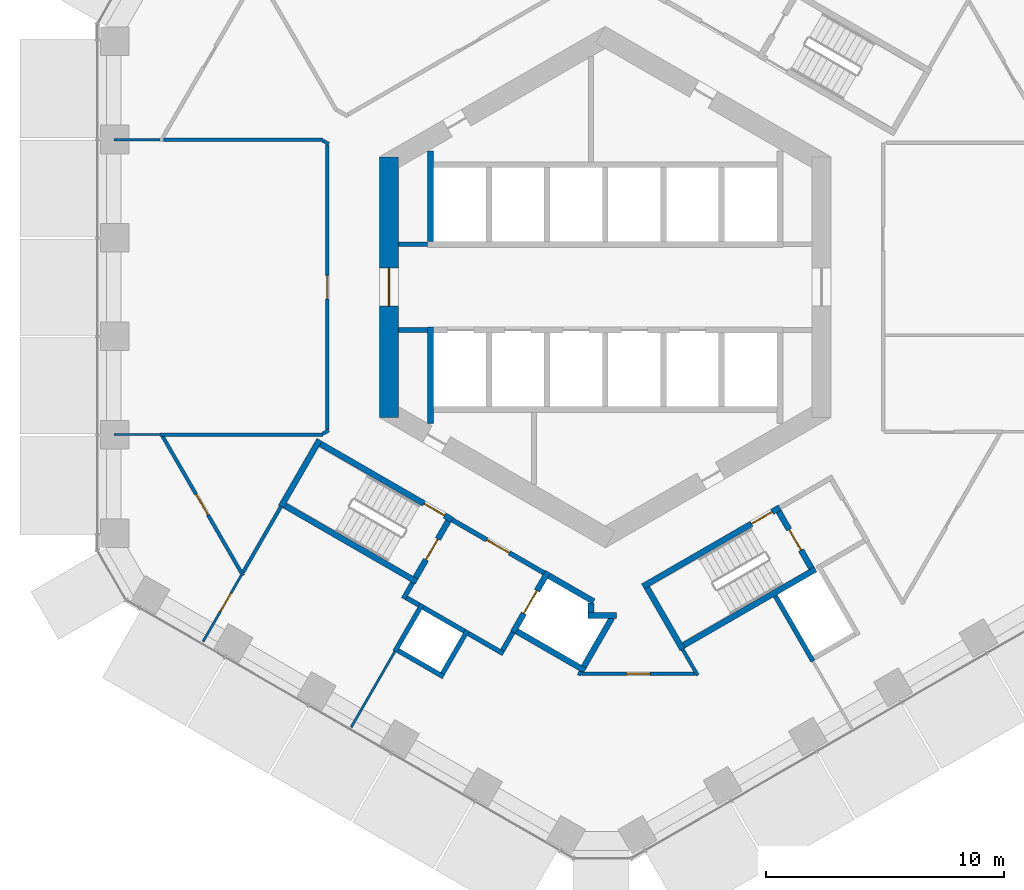
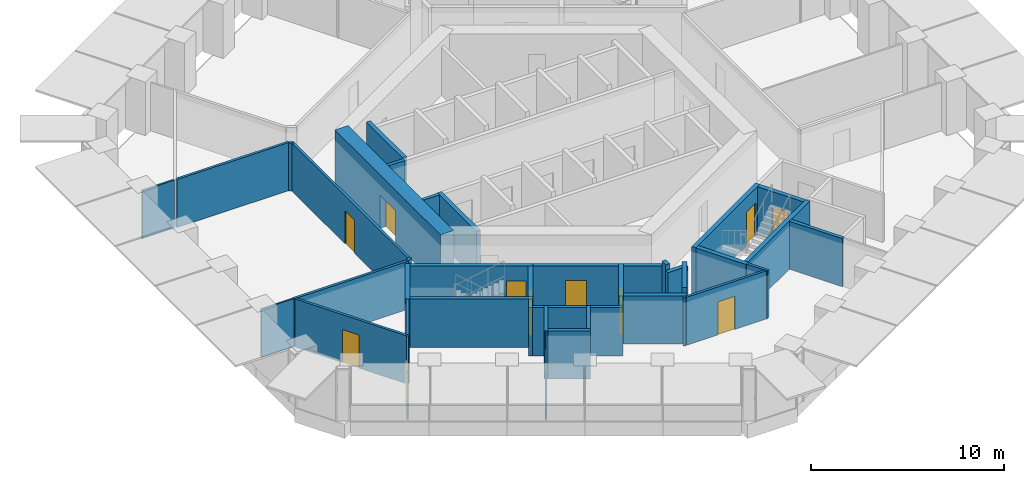
# One storey, part 12 of 19: 43 walls, 11 doors, 11 openings.
"""IFC4 building model written with IfcOpenShell, lengths in metres."""

from ifc_helpers import new_model, si_unit, direction, frame, frame_2d, origin, place, context, subcontext, project, spatial, rectangle, extrude, material, layer, layer_set, type_object, element, fill, save


model = new_model("IFC4")

# Units and contexts
model_context = context("Model", 3, precision=1e-05, world=origin(), true_north=direction((0.0, 1.0)))
body_context = subcontext(model_context, "Body", "Model", "MODEL_VIEW")
ifc_project = project(units=[si_unit("LENGTHUNIT", "METRE"), si_unit("AREAUNIT", "SQUARE_METRE"), si_unit("VOLUMEUNIT", "CUBIC_METRE"), si_unit("PLANEANGLEUNIT", "RADIAN"), si_unit("MASSUNIT", "GRAM", prefix="KILO")], contexts=[model_context])

# Site, building, storey
site_placement = place(None, origin())
site = spatial("IfcSite", under=ifc_project, at=site_placement, CompositionType="ELEMENT")
building_placement = place(site_placement, origin())
building = spatial("IfcBuilding", under=site, at=building_placement, Name="Ayvan Gate Tower", CompositionType="ELEMENT")
storey_placement = place(building_placement, frame((0.0, 0.0, 32.300048828125)))
storey = spatial("IfcBuildingStorey", under=building, at=storey_placement, Name="L07", CompositionType="ELEMENT", Elevation=32.300048828125)

# Wall, opening, door
ifc_material_1 = material(Name="Concrete C70/85", Category="concrete")
ifc_layer_1 = layer(ifc_material_1, 0.800048828125)
ifc_layer_set_1 = layer_set([ifc_layer_1], Name="Concrete C70/85")
wall_type_1 = type_object("IfcWallType", Name="Core wall 800 C70/85", PredefinedType="SHEAR", material=ifc_layer_set_1)
wall_1_placement = place(storey_placement, frame((-9.10009765625, 5.48486328125, 0.0), z_axis=(0.0, 0.0, 1.0), x_axis=(0.0, -1.0, 0.0)))
wall_1 = element("IfcWall", 1, at=wall_1_placement, inside=storey, type_object=wall_type_1, Name="CORE-L07-3", PredefinedType="SHEAR", context=body_context, shape_type="SweptSolid", body=[
    extrude(rectangle(XDim=10.9697265625, YDim=0.800048828125, at=frame_2d((5.48486328125, 0.0))), origin(), (0.0, 0.0, 1.0), 3.39990234375),
])
opening_1_placement = place(wall_1_placement, frame((4.684814453125, 0.0, 0.0)))
opening_1 = element("IfcOpeningElement", 2, at=opening_1_placement, cuts=wall_1, Name="Opening L07-D35", PredefinedType="OPENING", context=body_context, shape_type="SweptSolid", body=[
    extrude(rectangle(XDim=1.60009765625, YDim=2.10009765625, at=frame_2d((0.800048828125, 1.050048828125))), frame((0.0, 0.409912109375, 0.0), z_axis=(0.0, -1.0, 0.0), x_axis=(1.0, 0.0, 0.0)), (0.0, 0.0, 1.0), 0.820068359375),
])
ifc_material_2 = material(Name="Timber door leaf", Category="wood")
door_type_1 = type_object("IfcDoorType", Name="DT-1600", OperationType="NOTDEFINED", PredefinedType="DOOR", material=ifc_material_2)
door_1_placement = place(opening_1_placement, origin())
door_1 = element("IfcDoor", 3, at=door_1_placement, inside=storey, type_object=door_type_1, Name="CD-L07-35", OperationType="SINGLE_SWING_RIGHT", OverallHeight=2.10009765625, OverallWidth=1.60009765625, PredefinedType="DOOR", context=body_context, shape_type="SweptSolid", body=[
    extrude(rectangle(XDim=1.60009765625, YDim=2.10009765625, at=frame_2d((0.800048828125, 1.050048828125))), frame((0.0, 0.02490234375, 0.0), z_axis=(0.0, -1.0, 0.0), x_axis=(1.0, 0.0, 0.0)), (0.0, 0.0, 1.0), 0.050048828125),
])
fill(opening_1, door_1)

# Wall
ifc_material_3 = material(Name="Plasterboard on steel stud", Category="steel")
ifc_layer_2 = layer(ifc_material_3, 0.14990234375)
ifc_layer_set_2 = layer_set([ifc_layer_2], Name="Plasterboard on steel stud")
wall_type_2 = type_object("IfcWallType", Name="WT-CORR-150", PredefinedType="PARTITIONING", material=ifc_layer_set_2)
wall_2_placement = place(storey_placement, frame((-18.742431640625, -6.201904296875, 0.0), z_axis=(0.0, 0.0, 1.0), x_axis=(1.0, 0.0, 0.0)))
element("IfcWall", 4, at=wall_2_placement, inside=storey, type_object=wall_type_2, Name="IW-L07-001", PredefinedType="PARTITIONING", context=body_context, shape_type="SweptSolid", body=[
    extrude(rectangle(XDim=6.87548828125, YDim=0.14990234375, at=frame_2d((3.437744140625, 0.0))), origin(), (0.0, 0.0, 1.0), 3.050048828125),
])

# Wall, opening, door
wall_3_placement = place(storey_placement, frame((-15.243408203125, -12.13232421875, 0.0), z_axis=(0.0, 0.0, 1.0), x_axis=(-0.500004319728, 0.866022909774, 0.0)))
wall_3 = element("IfcWall", 5, at=wall_3_placement, inside=storey, type_object=wall_type_2, Name="IW-L07-005", PredefinedType="PARTITIONING", context=body_context, shape_type="SweptSolid", body=[
    extrude(rectangle(XDim=6.77294921875, YDim=0.14990234375, at=frame_2d((3.386474609375, 0.0))), origin(), (0.0, 0.0, 1.0), 3.050048828125),
])
opening_2_placement = place(wall_3_placement, frame((2.94140625, 0.0, 0.0)))
opening_2 = element("IfcOpeningElement", 6, at=opening_2_placement, cuts=wall_3, Name="Opening L07-D25", PredefinedType="OPENING", context=body_context, shape_type="SweptSolid", body=[
    extrude(rectangle(XDim=1.0, YDim=2.10009765625, at=frame_2d((0.5, 1.050048828125))), frame((0.0, 0.0849609375, 0.0), z_axis=(0.0, -1.0, 0.0), x_axis=(1.0, 0.0, 0.0)), (0.0, 0.0, 1.0), 0.169921875),
])
door_type_2 = type_object("IfcDoorType", Name="DT-1000", OperationType="NOTDEFINED", PredefinedType="DOOR", material=ifc_material_2)
door_2_placement = place(opening_2_placement, origin())
door_2 = element("IfcDoor", 7, at=door_2_placement, inside=storey, type_object=door_type_2, Name="ID-L07-025", OperationType="SINGLE_SWING_RIGHT", OverallHeight=2.10009765625, OverallWidth=1.0, PredefinedType="DOOR", context=body_context, shape_type="SweptSolid", body=[
    extrude(rectangle(XDim=1.0, YDim=2.10009765625, at=frame_2d((0.5, 1.050048828125))), frame((0.0, 0.02490234375, 0.0), z_axis=(0.0, -1.0, 0.0), x_axis=(1.0, 0.0, 0.0)), (0.0, 0.0, 1.0), 0.050048828125),
])
fill(opening_2, door_2)

# Walls
wall_4_placement = place(storey_placement, frame((-13.647705078125, -9.23876953125, 0.0), z_axis=(0.0, 0.0, 1.0), x_axis=(-0.50002266109, -0.866012320003, 0.0)))
element("IfcWall", 8, at=wall_4_placement, inside=storey, type_object=wall_type_2, Name="IW-L07-009", PredefinedType="PARTITIONING", context=body_context, shape_type="SweptSolid", body=[
    extrude(rectangle(XDim=3.191162109375, YDim=0.14990234375, at=frame_2d((1.595703125, 0.0))), origin(), (0.0, 0.0, 1.0), 3.050048828125),
])
wall_5_placement = place(storey_placement, frame((-11.866943359375, 6.201904296875, 0.0), z_axis=(0.0, 0.0, 1.0), x_axis=(-1.0, 0.0, 0.0)))
element("IfcWall", 9, at=wall_5_placement, inside=storey, type_object=wall_type_2, Name="IW-L07-011", PredefinedType="PARTITIONING", context=body_context, shape_type="SweptSolid", body=[
    extrude(rectangle(XDim=6.725341796875, YDim=0.14990234375, at=frame_2d((3.36279296875, 0.0))), origin(), (0.0, 0.0, 1.0), 3.050048828125),
])
for number, where, z_axis, x_axis, name in (
    (10, (-11.876953125, -6.164306640625, 0.0), (0.0, 0.0, 1.0), (0.866083720475, 0.499898978922, 0.0), "IW-L07-012"),
    (11, (-11.635009765625, 6.024658203125, 0.0), (0.0, 0.0, 1.0), (-0.866083720475, 0.499898978922, 0.0), "IW-L07-013"),
):
    element("IfcWall", number, at=place(storey_placement, frame(where, z_axis=z_axis, x_axis=x_axis)), inside=storey, type_object=wall_type_2, Name=name, PredefinedType="PARTITIONING", context=body_context, shape_type="SweptSolid", body=[
        extrude(rectangle(XDim=0.279296875, YDim=0.14990234375, at=frame_2d((0.1396484375, 0.0))), origin(), (0.0, 0.0, 1.0), 3.050048828125),
    ])

# Wall, opening, door
wall_6_placement = place(storey_placement, frame((-11.699951171875, -5.9873046875, 0.0), z_axis=(0.0, 0.0, 1.0), x_axis=(0.0, 1.0, 0.0)))
wall_6 = element("IfcWall", 12, at=wall_6_placement, inside=storey, type_object=wall_type_2, Name="IW-L07-014", PredefinedType="PARTITIONING", context=body_context, shape_type="SweptSolid", body=[
    extrude(rectangle(XDim=11.974609375, YDim=0.14990234375, at=frame_2d((5.9873046875, 0.0))), origin(), (0.0, 0.0, 1.0), 3.050048828125),
])
opening_3_placement = place(wall_6_placement, frame((5.4873046875, 0.0, 0.0)))
opening_3 = element("IfcOpeningElement", 13, at=opening_3_placement, cuts=wall_6, Name="Opening L07-D24", PredefinedType="OPENING", context=body_context, shape_type="SweptSolid", body=[
    extrude(rectangle(XDim=1.0, YDim=2.10009765625, at=frame_2d((0.5, 1.050048828125))), frame((0.0, 0.0849609375, 0.0), z_axis=(0.0, -1.0, 0.0), x_axis=(1.0, 0.0, 0.0)), (0.0, 0.0, 1.0), 0.169921875),
])
door_3_placement = place(opening_3_placement, origin())
door_3 = element("IfcDoor", 14, at=door_3_placement, inside=storey, type_object=door_type_2, Name="ID-L07-024", OperationType="SINGLE_SWING_LEFT", OverallHeight=2.10009765625, OverallWidth=1.0, PredefinedType="DOOR", context=body_context, shape_type="SweptSolid", body=[
    extrude(rectangle(XDim=1.0, YDim=2.10009765625, at=frame_2d((0.5, 1.050048828125))), frame((0.0, 0.02490234375, 0.0), z_axis=(0.0, -1.0, 0.0), x_axis=(1.0, 0.0, 0.0)), (0.0, 0.0, 1.0), 0.050048828125),
])
fill(opening_3, door_3)

# Walls
wall_7_placement = place(storey_placement, frame((-1.115478515625, -16.332275390625, 0.0), z_axis=(0.0, 0.0, 1.0), x_axis=(0.499403939877, 0.866369265865, 0.0)))
element("IfcWall", 15, at=wall_7_placement, inside=storey, type_object=wall_type_2, Name="IW-L07-046", PredefinedType="PARTITIONING", context=body_context, shape_type="SweptSolid", body=[
    extrude(rectangle(XDim=0.177001953125, YDim=0.14990234375, at=frame_2d((0.08837890625, 0.0))), origin(), (0.0, 0.0, 1.0), 3.050048828125),
])
wall_8_placement = place(storey_placement, frame((3.255615234375, -15.23876953125, 0.0), z_axis=(0.0, 0.0, 1.0), x_axis=(0.500006981563, -0.86602137294, 0.0)))
element("IfcWall", 16, at=wall_8_placement, inside=storey, type_object=wall_type_2, Name="IW-L07-065", PredefinedType="PARTITIONING", context=body_context, shape_type="SweptSolid", body=[
    extrude(rectangle(XDim=1.2626953125, YDim=0.14990234375, at=frame_2d((0.63134765625, 0.0))), origin(), (0.0, 0.0, 1.0), 3.050048828125),
])

# Wall, opening, door
wall_9_placement = place(storey_placement, frame((3.7744140625, -16.267333984375, 0.0), z_axis=(0.0, 0.0, 1.0), x_axis=(-1.0, 0.0, 0.0)))
wall_9 = element("IfcWall", 17, at=wall_9_placement, inside=storey, type_object=wall_type_2, Name="IW-L07-068", PredefinedType="PARTITIONING", context=body_context, shape_type="SweptSolid", body=[
    extrude(rectangle(XDim=4.777587890625, YDim=0.14990234375, at=frame_2d((2.388671875, 0.0))), origin(), (0.0, 0.0, 1.0), 3.050048828125),
])
opening_4_placement = place(wall_9_placement, frame((1.888916015625, 0.0, 0.0)))
opening_4 = element("IfcOpeningElement", 18, at=opening_4_placement, cuts=wall_9, Name="Opening L07-D27", PredefinedType="OPENING", context=body_context, shape_type="SweptSolid", body=[
    extrude(rectangle(XDim=1.0, YDim=2.10009765625, at=frame_2d((0.5, 1.050048828125))), frame((0.0, 0.0849609375, 0.0), z_axis=(0.0, -1.0, 0.0), x_axis=(1.0, 0.0, 0.0)), (0.0, 0.0, 1.0), 0.169921875),
])
door_4_placement = place(opening_4_placement, origin())
door_4 = element("IfcDoor", 19, at=door_4_placement, inside=storey, type_object=door_type_2, Name="ID-L07-027", OperationType="SINGLE_SWING_RIGHT", OverallHeight=2.10009765625, OverallWidth=1.0, PredefinedType="DOOR", context=body_context, shape_type="SweptSolid", body=[
    extrude(rectangle(XDim=1.0, YDim=2.10009765625, at=frame_2d((0.5, 1.050048828125))), frame((0.0, 0.02490234375, 0.0), z_axis=(0.0, -1.0, 0.0), x_axis=(1.0, 0.0, 0.0)), (0.0, 0.0, 1.0), 0.050048828125),
])
fill(opening_4, door_4)

# Walls
ifc_layer_3 = layer(ifc_material_3, 0.10009765625)
ifc_layer_set_3 = layer_set([ifc_layer_3], Name="Plasterboard on steel stud")
wall_type_3 = type_object("IfcWallType", Name="WT-PART-100", PredefinedType="PARTITIONING", material=ifc_layer_set_3)
for number, where, z_axis, x_axis, name in (
    (20, (-18.742431640625, -6.201904296875, 0.0), (0.0, 0.0, 1.0), (-1.0, 0.0, 0.0), "IW-L07-000"),
    (21, (-18.742431640625, 6.201904296875, 0.0), (0.0, 0.0, 1.0), (-1.0, 0.0, 0.0), "IW-L07-002"),
):
    element("IfcWall", number, at=place(storey_placement, frame(where, z_axis=z_axis, x_axis=x_axis)), inside=storey, type_object=wall_type_3, Name=name, PredefinedType="PARTITIONING", context=body_context, shape_type="SweptSolid", body=[
        extrude(rectangle(XDim=1.923583984375, YDim=0.10009765625, at=frame_2d((0.9619140625, 0.0))), origin(), (0.0, 0.0, 1.0), 3.050048828125),
    ])

# Wall, opening, door
wall_10_placement = place(storey_placement, frame((-15.318359375, -12.13232421875, 0.0), z_axis=(0.0, 0.0, 1.0), x_axis=(-0.500027048631, -0.866009786687, 0.0)))
wall_10 = element("IfcWall", 22, at=wall_10_placement, inside=storey, type_object=wall_type_3, Name="IW-L07-006", PredefinedType="PARTITIONING", context=body_context, shape_type="SweptSolid", body=[
    extrude(rectangle(XDim=3.214599609375, YDim=0.10009765625, at=frame_2d((1.607421875, 0.0))), origin(), (0.0, 0.0, 1.0), 3.050048828125),
])
opening_5_placement = place(wall_10_placement, frame((0.859130859375, 0.0, 0.0)))
opening_5 = element("IfcOpeningElement", 23, at=opening_5_placement, cuts=wall_10, Name="Opening L07-D26", PredefinedType="OPENING", context=body_context, shape_type="SweptSolid", body=[
    extrude(rectangle(XDim=0.89990234375, YDim=2.10009765625, at=frame_2d((0.449951171875, 1.050048828125))), frame((0.0, 0.06005859375, 0.0), z_axis=(0.0, -1.0, 0.0), x_axis=(1.0, 0.0, 0.0)), (0.0, 0.0, 1.0), 0.1201171875),
])
door_type_3 = type_object("IfcDoorType", Name="DT-900", OperationType="NOTDEFINED", PredefinedType="DOOR", material=ifc_material_2)
door_5_placement = place(opening_5_placement, origin())
door_5 = element("IfcDoor", 24, at=door_5_placement, inside=storey, type_object=door_type_3, Name="ID-L07-026", OperationType="SINGLE_SWING_LEFT", OverallHeight=2.10009765625, OverallWidth=0.89990234375, PredefinedType="DOOR", context=body_context, shape_type="SweptSolid", body=[
    extrude(rectangle(XDim=0.89990234375, YDim=2.10009765625, at=frame_2d((0.449951171875, 1.050048828125))), frame((0.0, 0.02490234375, 0.0), z_axis=(0.0, -1.0, 0.0), x_axis=(1.0, 0.0, 0.0)), (0.0, 0.0, 1.0), 0.050048828125),
])
fill(opening_5, door_5)

# Walls
wall_11_placement = place(storey_placement, frame((-8.85009765625, -15.32861328125, 0.0), z_axis=(0.0, 0.0, 1.0), x_axis=(-0.499955964762, -0.866050826049, 0.0)))
element("IfcWall", 25, at=wall_11_placement, inside=storey, type_object=wall_type_3, Name="IW-L07-018", PredefinedType="PARTITIONING", context=body_context, shape_type="SweptSolid", body=[
    extrude(rectangle(XDim=3.680419921875, YDim=0.10009765625, at=frame_2d((1.84033203125, 0.0))), origin(), (0.0, 0.0, 1.0), 3.050048828125),
])
ifc_layer_4 = layer(ifc_material_3, 0.199951171875)
ifc_layer_set_4 = layer_set([ifc_layer_4], Name="Plasterboard on steel stud")
wall_type_4 = type_object("IfcWallType", Name="WT-PLUMB-200", PredefinedType="PLUMBINGWALL", material=ifc_layer_set_4)
wall_12_placement = place(storey_placement, frame((-8.85009765625, -15.32861328125, 0.0), z_axis=(0.0, 0.0, 1.0), x_axis=(0.500077740698, 0.865980515519, 0.0)))
element("IfcWall", 26, at=wall_12_placement, inside=storey, type_object=wall_type_4, Name="IW-L07-017", PredefinedType="PLUMBINGWALL", context=body_context, shape_type="SweptSolid", body=[
    extrude(rectangle(XDim=2.300048828125, YDim=0.199951171875, at=frame_2d((1.14990234375, 0.0))), origin(), (0.0, 0.0, 1.0), 3.050048828125),
])
wall_13_placement = place(storey_placement, frame((-6.80810546875, -16.39208984375, 0.0), z_axis=(0.0, 0.0, 1.0), x_axis=(-0.866008176907, 0.50002983664, 0.0)))
element("IfcWall", 27, at=wall_13_placement, inside=storey, type_object=wall_type_4, Name="IW-L07-028", PredefinedType="PLUMBINGWALL", context=body_context, shape_type="SweptSolid", body=[
    extrude(rectangle(XDim=2.199951171875, YDim=0.199951171875, at=frame_2d((1.10009765625, 0.0))), origin(), (0.0, 0.0, 1.0), 3.050048828125),
])
wall_14_placement = place(storey_placement, frame((-5.794677734375, -14.436767578125, 0.0), z_axis=(0.0, 0.0, 1.0), x_axis=(-0.500027713859, -0.866009402589, 0.0)))
element("IfcWall", 28, at=wall_14_placement, inside=storey, type_object=wall_type_4, Name="IW-L07-031", PredefinedType="PLUMBINGWALL", context=body_context, shape_type="SweptSolid", body=[
    extrude(rectangle(XDim=2.10009765625, YDim=0.199951171875, at=frame_2d((1.050048828125, 0.0))), origin(), (0.0, 0.0, 1.0), 3.050048828125),
])
wall_15_placement = place(storey_placement, frame((-5.931396484375, -14.473388671875, 0.0), z_axis=(0.0, 0.0, 1.0), x_axis=(-0.866041268327, 0.499972520799, 0.0)))
element("IfcWall", 29, at=wall_15_placement, inside=storey, type_object=wall_type_4, Name="IW-L07-032", PredefinedType="PLUMBINGWALL", context=body_context, shape_type="SweptSolid", body=[
    extrude(rectangle(XDim=2.0, YDim=0.199951171875, at=frame_2d((1.0, 0.0))), origin(), (0.0, 0.0, 1.0), 3.050048828125),
])
wall_16_placement = place(storey_placement, frame((8.740234375, -15.738525390625, 0.0), z_axis=(0.0, 0.0, 1.0), x_axis=(-0.500017526161, 0.866015284814, 0.0)))
element("IfcWall", 30, at=wall_16_placement, inside=storey, type_object=wall_type_4, Name="IW-L07-085", PredefinedType="PLUMBINGWALL", context=body_context, shape_type="SweptSolid", body=[
    extrude(rectangle(XDim=3.17529296875, YDim=0.199951171875, at=frame_2d((1.587646484375, 0.0))), origin(), (0.0, 0.0, 1.0), 3.050048828125),
])
ifc_layer_5 = layer(ifc_material_3, 0.199951171875)
ifc_layer_set_5 = layer_set([ifc_layer_5], Name="Plasterboard on steel stud")
wall_type_5 = type_object("IfcWallType", Name="WT-RATED-200", PredefinedType="PARTITIONING", material=ifc_layer_set_5)
wall_17_placement = place(storey_placement, frame((-8.699951171875, 1.800048828125, 0.0), z_axis=(0.0, 0.0, 1.0), x_axis=(1.0, 0.0, 0.0)))
element("IfcWall", 31, at=wall_17_placement, inside=storey, type_object=wall_type_5, Name="IW-L07-019", PredefinedType="PARTITIONING", context=body_context, shape_type="SweptSolid", body=[
    extrude(rectangle(XDim=1.22509765625, YDim=0.199951171875, at=frame_2d((0.612548828125, 0.0))), origin(), (0.0, 0.0, 1.0), 3.050048828125),
])
wall_18_placement = place(storey_placement, frame((-8.492919921875, -13.110107421875, 0.0), z_axis=(0.0, 0.0, 1.0), x_axis=(0.500067724834, 0.865986299303, 0.0)))
element("IfcWall", 32, at=wall_18_placement, inside=storey, type_object=wall_type_5, Name="IW-L07-020", PredefinedType="PARTITIONING", context=body_context, shape_type="SweptSolid", body=[
    extrude(rectangle(XDim=0.775390625, YDim=0.199951171875, at=frame_2d((0.3876953125, 0.0))), origin(), (0.0, 0.0, 1.0), 3.050048828125),
])
wall_19_placement = place(storey_placement, frame((-7.83642578125, -13.373291015625, 0.0), z_axis=(0.0, 0.0, 1.0), x_axis=(-0.866232998003, 0.499640263761, 0.0)))
element("IfcWall", 33, at=wall_19_placement, inside=storey, type_object=wall_type_5, Name="IW-L07-022", PredefinedType="PARTITIONING", context=body_context, shape_type="SweptSolid", body=[
    extrude(rectangle(XDim=0.60009765625, YDim=0.199951171875, at=frame_2d((0.300048828125, 0.0))), origin(), (0.0, 0.0, 1.0), 3.050048828125),
])
wall_20_placement = place(storey_placement, frame((-7.474853515625, -1.800048828125, 0.0), z_axis=(0.0, 0.0, 1.0), x_axis=(-1.0, 0.0, 0.0)))
element("IfcWall", 34, at=wall_20_placement, inside=storey, type_object=wall_type_5, Name="IW-L07-027", PredefinedType="PARTITIONING", context=body_context, shape_type="SweptSolid", body=[
    extrude(rectangle(XDim=1.22509765625, YDim=0.199951171875, at=frame_2d((0.612548828125, 0.0))), origin(), (0.0, 0.0, 1.0), 3.050048828125),
])

# Wall, opening, door
wall_21_placement = place(storey_placement, frame((-6.4345703125, -9.794921875, 0.0), z_axis=(0.0, 0.0, 1.0), x_axis=(0.866012907634, -0.500021643343, 0.0)))
wall_21 = element("IfcWall", 35, at=wall_21_placement, inside=storey, type_object=wall_type_5, Name="IW-L07-030", PredefinedType="PARTITIONING", context=body_context, shape_type="SweptSolid", body=[
    extrude(rectangle(XDim=4.449951171875, YDim=0.199951171875, at=frame_2d((2.22509765625, 0.0))), origin(), (0.0, 0.0, 1.0), 3.050048828125),
])
opening_6_placement = place(wall_21_placement, frame((1.675048828125, 0.0, 0.0)))
opening_6 = element("IfcOpeningElement", 36, at=opening_6_placement, cuts=wall_21, Name="Opening L07-D12", PredefinedType="OPENING", context=body_context, shape_type="SweptSolid", body=[
    extrude(rectangle(XDim=1.10009765625, YDim=2.10009765625, at=frame_2d((0.550048828125, 1.050048828125))), frame((0.0, 0.10986328125, 0.0), z_axis=(0.0, -1.0, 0.0), x_axis=(1.0, 0.0, 0.0)), (0.0, 0.0, 1.0), 0.219970703125),
])
door_type_4 = type_object("IfcDoorType", Name="DT-1100", OperationType="NOTDEFINED", PredefinedType="DOOR", material=ifc_material_2)
door_6_placement = place(opening_6_placement, origin())
door_6 = element("IfcDoor", 37, at=door_6_placement, inside=storey, type_object=door_type_4, Name="ID-L07-012", OperationType="SINGLE_SWING_LEFT", OverallHeight=2.10009765625, OverallWidth=1.10009765625, PredefinedType="DOOR", context=body_context, shape_type="SweptSolid", body=[
    extrude(rectangle(XDim=1.10009765625, YDim=2.10009765625, at=frame_2d((0.550048828125, 1.050048828125))), frame((0.0, 0.02490234375, 0.0), z_axis=(0.0, -1.0, 0.0), x_axis=(1.0, 0.0, 0.0)), (0.0, 0.0, 1.0), 0.050048828125),
])
fill(opening_6, door_6)

# Walls
wall_22_placement = place(storey_placement, frame((-4.285888671875, -15.42333984375, 0.0), z_axis=(0.0, 0.0, 1.0), x_axis=(-0.866025371046, 0.500000056704, 0.0)))
element("IfcWall", 38, at=wall_22_placement, inside=storey, type_object=wall_type_5, Name="IW-L07-037", PredefinedType="PARTITIONING", context=body_context, shape_type="SweptSolid", body=[
    extrude(rectangle(XDim=1.7001953125, YDim=0.199951171875, at=frame_2d((0.85009765625, 0.0))), origin(), (0.0, 0.0, 1.0), 3.050048828125),
])
wall_23_placement = place(storey_placement, frame((-3.885009765625, -14.52880859375, 0.0), z_axis=(0.0, 0.0, 1.0), x_axis=(-0.499859285417, -0.866106630146, 0.0)))
element("IfcWall", 39, at=wall_23_placement, inside=storey, type_object=wall_type_5, Name="IW-L07-038", PredefinedType="PARTITIONING", context=body_context, shape_type="SweptSolid", body=[
    extrude(rectangle(XDim=0.875244140625, YDim=0.199951171875, at=frame_2d((0.4375, 0.0))), origin(), (0.0, 0.0, 1.0), 3.050048828125),
])
ifc_material_4 = material(Name="Concrete C50/60", Category="concrete")
ifc_layer_6 = layer(ifc_material_4, 0.25)
ifc_layer_set_6 = layer_set([ifc_layer_6], Name="Concrete C50/60")
wall_type_6 = type_object("IfcWallType", Name="WT-RC-250", PredefinedType="SHEAR", material=ifc_layer_set_6)
wall_24_placement = place(storey_placement, frame((-13.64794921875, -9.23876953125, 0.0), z_axis=(0.0, 0.0, 1.0), x_axis=(0.500017246033, 0.866015446554, 0.0)))
element("IfcWall", 40, at=wall_24_placement, inside=storey, type_object=wall_type_6, Name="IW-L07-008", PredefinedType="SHEAR", context=body_context, shape_type="SweptSolid", body=[
    extrude(rectangle(XDim=3.25, YDim=0.25, at=frame_2d((1.625, 0.0))), origin(), (0.0, 0.0, 1.0), 3.050048828125),
])

# Wall, opening, door
wall_25_placement = place(storey_placement, frame((-11.97705078125, -6.594970703125, 0.0), z_axis=(0.0, 0.0, 1.0), x_axis=(0.866025499775, -0.499999833739, 0.0)))
wall_25 = element("IfcWall", 41, at=wall_25_placement, inside=storey, type_object=wall_type_6, Name="IW-L07-010", PredefinedType="SHEAR", context=body_context, shape_type="SweptSolid", body=[
    extrude(rectangle(XDim=6.39990234375, YDim=0.25, at=frame_2d((3.199951171875, 0.0))), origin(), (0.0, 0.0, 1.0), 3.050048828125),
])
opening_7_placement = place(wall_25_placement, frame((5.02490234375, 0.0, 0.0)))
opening_7 = element("IfcOpeningElement", 42, at=opening_7_placement, cuts=wall_25, Name="Opening L07-D10", PredefinedType="OPENING", context=body_context, shape_type="SweptSolid", body=[
    extrude(rectangle(XDim=1.0, YDim=2.10009765625, at=frame_2d((0.5, 1.050048828125))), frame((0.0, 0.135009765625, 0.0), z_axis=(0.0, -1.0, 0.0), x_axis=(1.0, 0.0, 0.0)), (0.0, 0.0, 1.0), 0.27001953125),
])
door_7_placement = place(opening_7_placement, origin())
door_7 = element("IfcDoor", 43, at=door_7_placement, inside=storey, type_object=door_type_2, Name="ID-L07-010", OperationType="SINGLE_SWING_LEFT", OverallHeight=2.10009765625, OverallWidth=1.0, PredefinedType="DOOR", context=body_context, shape_type="SweptSolid", body=[
    extrude(rectangle(XDim=1.0, YDim=2.10009765625, at=frame_2d((0.5, 1.050048828125))), frame((0.0, 0.02490234375, 0.0), z_axis=(0.0, -1.0, 0.0), x_axis=(1.0, 0.0, 0.0)), (0.0, 0.0, 1.0), 0.050048828125),
])
fill(opening_7, door_7)

# Walls
wall_26_placement = place(storey_placement, frame((-7.9345703125, -12.39306640625, 0.0), z_axis=(0.0, 0.0, 1.0), x_axis=(-0.866025499775, 0.499999833739, 0.0)))
element("IfcWall", 44, at=wall_26_placement, inside=storey, type_object=wall_type_6, Name="IW-L07-021", PredefinedType="SHEAR", context=body_context, shape_type="SweptSolid", body=[
    extrude(rectangle(XDim=6.39990234375, YDim=0.25, at=frame_2d((3.199951171875, 0.0))), origin(), (0.0, 0.0, 1.0), 3.050048828125),
])
wall_27_placement = place(storey_placement, frame((-7.35009765625, -5.730224609375, 0.0), z_axis=(0.0, 0.0, 1.0), x_axis=(0.0, 1.0, 0.0)))
element("IfcWall", 45, at=wall_27_placement, inside=storey, type_object=wall_type_6, Name="IW-L07-024", PredefinedType="SHEAR", context=body_context, shape_type="SweptSolid", body=[
    extrude(rectangle(XDim=4.05517578125, YDim=0.25, at=frame_2d((2.027587890625, 0.0))), origin(), (0.0, 0.0, 1.0), 3.050048828125),
])
wall_28_placement = place(storey_placement, frame((-7.35009765625, 1.925048828125, 0.0), z_axis=(0.0, 0.0, 1.0), x_axis=(0.0, 1.0, 0.0)))
element("IfcWall", 46, at=wall_28_placement, inside=storey, type_object=wall_type_6, Name="IW-L07-025", PredefinedType="SHEAR", context=body_context, shape_type="SweptSolid", body=[
    extrude(rectangle(XDim=3.80517578125, YDim=0.25, at=frame_2d((1.902587890625, 0.0))), origin(), (0.0, 0.0, 1.0), 3.050048828125),
])

# Wall, opening, door
wall_29_placement = place(storey_placement, frame((-6.605224609375, -9.8408203125, 0.0), z_axis=(0.0, 0.0, 1.0), x_axis=(-0.499996545922, -0.866027397988, 0.0)))
wall_29 = element("IfcWall", 47, at=wall_29_placement, inside=storey, type_object=wall_type_6, Name="IW-L07-029", PredefinedType="SHEAR", context=body_context, shape_type="SweptSolid", body=[
    extrude(rectangle(XDim=2.75, YDim=0.25, at=frame_2d((1.375, 0.0))), origin(), (0.0, 0.0, 1.0), 3.050048828125),
])
opening_8_placement = place(wall_29_placement, frame((0.875, 0.0, 0.0)))
opening_8 = element("IfcOpeningElement", 48, at=opening_8_placement, cuts=wall_29, Name="Opening L07-D11", PredefinedType="OPENING", context=body_context, shape_type="SweptSolid", body=[
    extrude(rectangle(XDim=1.0, YDim=2.10009765625, at=frame_2d((0.5, 1.050048828125))), frame((0.0, 0.135009765625, 0.0), z_axis=(0.0, -1.0, 0.0), x_axis=(1.0, 0.0, 0.0)), (0.0, 0.0, 1.0), 0.27001953125),
])
door_8_placement = place(opening_8_placement, origin())
door_8 = element("IfcDoor", 49, at=door_8_placement, inside=storey, type_object=door_type_2, Name="ID-L07-011", OperationType="SINGLE_SWING_RIGHT", OverallHeight=2.10009765625, OverallWidth=1.0, PredefinedType="DOOR", context=body_context, shape_type="SweptSolid", body=[
    extrude(rectangle(XDim=1.0, YDim=2.10009765625, at=frame_2d((0.5, 1.050048828125))), frame((0.0, 0.02490234375, 0.0), z_axis=(0.0, -1.0, 0.0), x_axis=(1.0, 0.0, 0.0)), (0.0, 0.0, 1.0), 0.050048828125),
])
fill(opening_8, door_8)

wall_30_placement = place(storey_placement, frame((-2.409912109375, -11.97412109375, 0.0), z_axis=(0.0, 0.0, 1.0), x_axis=(-0.500001826776, -0.866024349092, 0.0)))
wall_30 = element("IfcWall", 50, at=wall_30_placement, inside=storey, type_object=wall_type_6, Name="IW-L07-042", PredefinedType="SHEAR", context=body_context, shape_type="SweptSolid", body=[
    extrude(rectangle(XDim=2.9501953125, YDim=0.25, at=frame_2d((1.47509765625, 0.0))), origin(), (0.0, 0.0, 1.0), 3.050048828125),
])
opening_9_placement = place(wall_30_placement, frame((0.925048828125, 0.0, 0.0)))
opening_9 = element("IfcOpeningElement", 51, at=opening_9_placement, cuts=wall_30, Name="Opening L07-LD-FF2", PredefinedType="OPENING", context=body_context, shape_type="SweptSolid", body=[
    extrude(rectangle(XDim=1.10009765625, YDim=2.10009765625, at=frame_2d((0.550048828125, 1.050048828125))), frame((0.0, 0.135009765625, 0.0), z_axis=(0.0, -1.0, 0.0), x_axis=(1.0, 0.0, 0.0)), (0.0, 0.0, 1.0), 0.27001953125),
])
ifc_material_5 = material(Name="Stainless steel landing door", Category="steel")
door_type_5 = type_object("IfcDoorType", Name="DT-LANDING-1100", OperationType="SLIDING_TO_LEFT", PredefinedType="DOOR", material=ifc_material_5)
door_9_placement = place(opening_9_placement, origin())
door_9 = element("IfcDoor", 52, at=door_9_placement, inside=storey, type_object=door_type_5, Name="ID-L07-013", OperationType="SLIDING_TO_LEFT", OverallHeight=2.10009765625, OverallWidth=1.10009765625, PredefinedType="DOOR", context=body_context, shape_type="SweptSolid", body=[
    extrude(rectangle(XDim=1.10009765625, YDim=2.10009765625, at=frame_2d((0.550048828125, 1.050048828125))), frame((0.0, 0.02490234375, 0.0), z_axis=(0.0, -1.0, 0.0), x_axis=(1.0, 0.0, 0.0)), (0.0, 0.0, 1.0), 0.050048828125),
])
fill(opening_9, door_9)

# Walls
wall_31_placement = place(storey_placement, frame((-2.3642578125, -12.14501953125, 0.0), z_axis=(0.0, 0.0, 1.0), x_axis=(0.86603892542, -0.499976579108, 0.0)))
element("IfcWall", 53, at=wall_31_placement, inside=storey, type_object=wall_type_6, Name="IW-L07-043", PredefinedType="SHEAR", context=body_context, shape_type="SweptSolid", body=[
    extrude(rectangle(XDim=2.162109375, YDim=0.25, at=frame_2d((1.0810546875, 0.0))), origin(), (0.0, 0.0, 1.0), 3.050048828125),
])
wall_32_placement = place(storey_placement, frame((-0.8564453125, -16.13330078125, 0.0), z_axis=(0.0, 0.0, 1.0), x_axis=(-0.866021716278, 0.500006386895, 0.0)))
element("IfcWall", 54, at=wall_32_placement, inside=storey, type_object=wall_type_6, Name="IW-L07-047", PredefinedType="SHEAR", context=body_context, shape_type="SweptSolid", body=[
    extrude(rectangle(XDim=3.2998046875, YDim=0.25, at=frame_2d((1.64990234375, 0.0))), origin(), (0.0, 0.0, 1.0), 3.050048828125),
])
wall_33_placement = place(storey_placement, frame((-0.72509765625, -13.81005859375, 0.0), z_axis=(0.0, 0.0, 1.0), x_axis=(1.0, 0.0, 0.0)))
element("IfcWall", 55, at=wall_33_placement, inside=storey, type_object=wall_type_6, Name="IW-L07-049", PredefinedType="SHEAR", context=body_context, shape_type="SweptSolid", body=[
    extrude(rectangle(XDim=1.190673828125, YDim=0.25, at=frame_2d((0.59521484375, 0.0))), origin(), (0.0, 0.0, 1.0), 3.050048828125),
])
wall_34_placement = place(storey_placement, frame((-0.60009765625, -13.28857421875, 0.0), z_axis=(0.0, 0.0, 1.0), x_axis=(0.0, -1.0, 0.0)))
element("IfcWall", 56, at=wall_34_placement, inside=storey, type_object=wall_type_6, Name="IW-L07-050", PredefinedType="SHEAR", context=body_context, shape_type="SweptSolid", body=[
    extrude(rectangle(XDim=0.396484375, YDim=0.25, at=frame_2d((0.1982421875, 0.0))), origin(), (0.0, 0.0, 1.0), 3.39990234375),
])
wall_35_placement = place(storey_placement, frame((0.278076171875, -13.918212890625, 0.0), z_axis=(0.0, 0.0, 1.0), x_axis=(-0.49998806882, -0.866032292145, 0.0)))
element("IfcWall", 57, at=wall_35_placement, inside=storey, type_object=wall_type_6, Name="IW-L07-055", PredefinedType="SHEAR", context=body_context, shape_type="SweptSolid", body=[
    extrude(rectangle(XDim=2.3603515625, YDim=0.25, at=frame_2d((1.18017578125, 0.0))), origin(), (0.0, 0.0, 1.0), 3.39990234375),
])

# Wall, opening, door
wall_36_placement = place(storey_placement, frame((1.584716796875, -12.594970703125, 0.0), z_axis=(0.0, 0.0, 1.0), x_axis=(0.866036417653, 0.499980922934, 0.0)))
wall_36 = element("IfcWall", 58, at=wall_36_placement, inside=storey, type_object=wall_type_6, Name="IW-L07-060", PredefinedType="SHEAR", context=body_context, shape_type="SweptSolid", body=[
    extrude(rectangle(XDim=6.650146484375, YDim=0.25, at=frame_2d((3.3251953125, 0.0))), origin(), (0.0, 0.0, 1.0), 3.050048828125),
])
opening_10_placement = place(wall_36_placement, frame((5.27490234375, 0.0, 0.0)))
opening_10 = element("IfcOpeningElement", 59, at=opening_10_placement, cuts=wall_36, Name="Opening L07-D14", PredefinedType="OPENING", context=body_context, shape_type="SweptSolid", body=[
    extrude(rectangle(XDim=1.0, YDim=2.10009765625, at=frame_2d((0.5, 1.050048828125))), frame((0.0, 0.135009765625, 0.0), z_axis=(0.0, -1.0, 0.0), x_axis=(1.0, 0.0, 0.0)), (0.0, 0.0, 1.0), 0.27001953125),
])
door_10_placement = place(opening_10_placement, origin())
door_10 = element("IfcDoor", 60, at=door_10_placement, inside=storey, type_object=door_type_2, Name="ID-L07-014", OperationType="SINGLE_SWING_LEFT", OverallHeight=2.10009765625, OverallWidth=1.0, PredefinedType="DOOR", context=body_context, shape_type="SweptSolid", body=[
    extrude(rectangle(XDim=1.0, YDim=2.10009765625, at=frame_2d((0.5, 1.050048828125))), frame((0.0, 0.02490234375, 0.0), z_axis=(0.0, -1.0, 0.0), x_axis=(1.0, 0.0, 0.0)), (0.0, 0.0, 1.0), 0.050048828125),
])
fill(opening_10, door_10)

# Walls
wall_37_placement = place(storey_placement, frame((3.255615234375, -15.23876953125, 0.0), z_axis=(0.0, 0.0, 1.0), x_axis=(-0.50002537861, 0.866010750942, 0.0)))
element("IfcWall", 61, at=wall_37_placement, inside=storey, type_object=wall_type_6, Name="IW-L07-066", PredefinedType="SHEAR", context=body_context, shape_type="SweptSolid", body=[
    extrude(rectangle(XDim=2.999755859375, YDim=0.25, at=frame_2d((1.5, 0.0))), origin(), (0.0, 0.0, 1.0), 3.050048828125),
])
wall_38_placement = place(storey_placement, frame((3.30126953125, -15.068115234375, 0.0), z_axis=(0.0, 0.0, 1.0), x_axis=(0.866035036182, 0.499983315828, 0.0)))
element("IfcWall", 62, at=wall_38_placement, inside=storey, type_object=wall_type_6, Name="IW-L07-075", PredefinedType="SHEAR", context=body_context, shape_type="SweptSolid", body=[
    extrude(rectangle(XDim=6.400146484375, YDim=0.25, at=frame_2d((3.2001953125, 0.0))), origin(), (0.0, 0.0, 1.0), 3.050048828125),
])

# Wall, opening, door
wall_39_placement = place(storey_placement, frame((7.298095703125, -9.44091796875, 0.0), z_axis=(0.0, 0.0, 1.0), x_axis=(0.500034990121, -0.866005201286, 0.0)))
wall_39 = element("IfcWall", 63, at=wall_39_placement, inside=storey, type_object=wall_type_6, Name="IW-L07-076", PredefinedType="SHEAR", context=body_context, shape_type="SweptSolid", body=[
    extrude(rectangle(XDim=2.749755859375, YDim=0.25, at=frame_2d((1.375, 0.0))), origin(), (0.0, 0.0, 1.0), 3.050048828125),
])
opening_11_placement = place(wall_39_placement, frame((0.875, 0.0, 0.0)))
opening_11 = element("IfcOpeningElement", 64, at=opening_11_placement, cuts=wall_39, Name="Opening L07-D16", PredefinedType="OPENING", context=body_context, shape_type="SweptSolid", body=[
    extrude(rectangle(XDim=1.0, YDim=2.10009765625, at=frame_2d((0.5, 1.050048828125))), frame((0.0, 0.135009765625, 0.0), z_axis=(0.0, -1.0, 0.0), x_axis=(1.0, 0.0, 0.0)), (0.0, 0.0, 1.0), 0.27001953125),
])
door_11_placement = place(opening_11_placement, origin())
door_11 = element("IfcDoor", 65, at=door_11_placement, inside=storey, type_object=door_type_2, Name="ID-L07-016", OperationType="SINGLE_SWING_LEFT", OverallHeight=2.10009765625, OverallWidth=1.0, PredefinedType="DOOR", context=body_context, shape_type="SweptSolid", body=[
    extrude(rectangle(XDim=1.0, YDim=2.10009765625, at=frame_2d((0.5, 1.050048828125))), frame((0.0, 0.02490234375, 0.0), z_axis=(0.0, -1.0, 0.0), x_axis=(1.0, 0.0, 0.0)), (0.0, 0.0, 1.0), 0.050048828125),
])
fill(opening_11, door_11)

save(model, "model.ifc")
